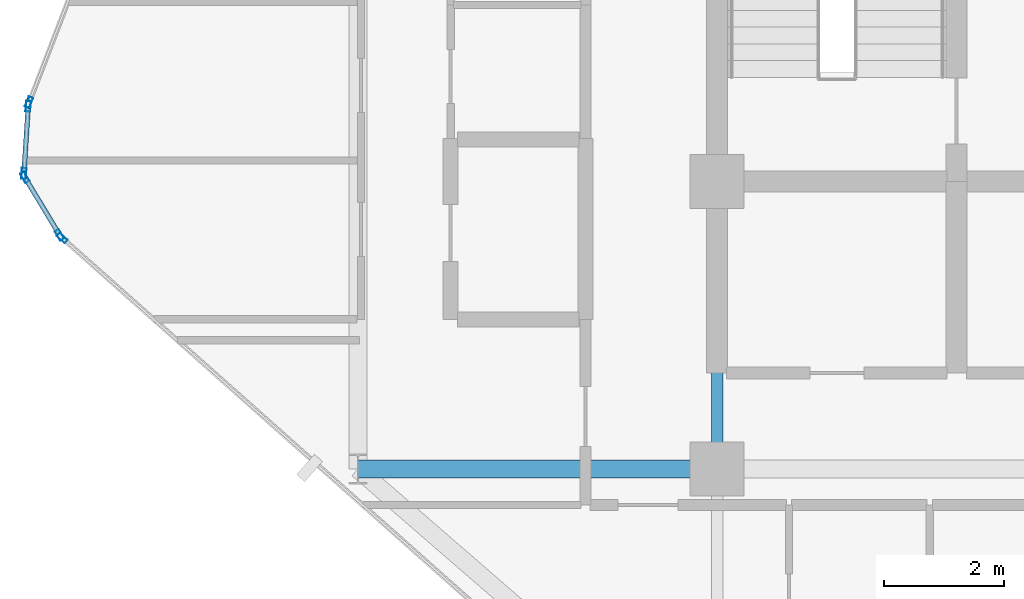
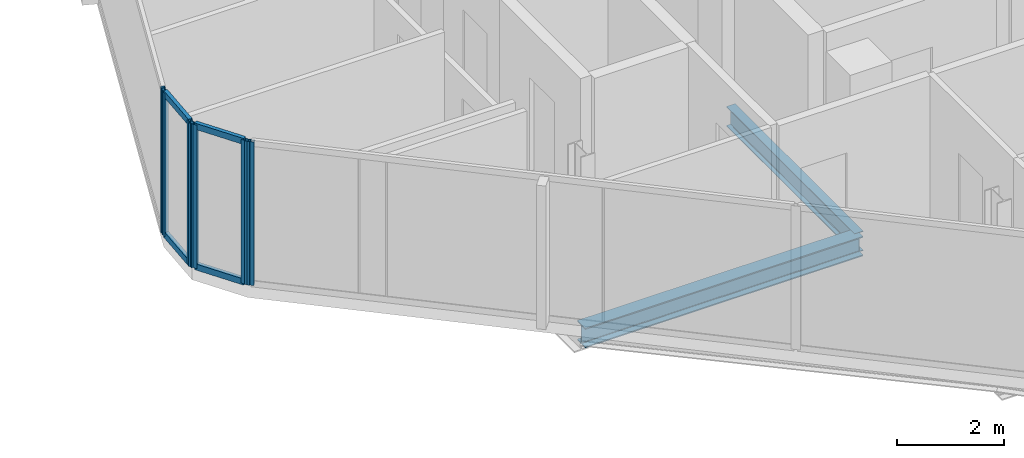
# One storey, part 7 of 31: 10 members, 2 beams, 4 elements without a shape of their own.
"""IFC4 building model written with IfcOpenShell, lengths in metres."""

from ifc_helpers import new_model, si_unit, direction, frame, origin, origin_2d, place, context, subcontext, project, spatial, hollow_rectangle, i_section, extrude, material, layer, layer_set, material_profile, profile_set, type_object, element, aggregate, save


model = new_model("IFC4")

# Units and contexts
model_context = context("Model", 3, precision=1e-05, world=origin(), true_north=direction((0.0, 1.0)))
body_context = subcontext(model_context, "Body", "Model", "MODEL_VIEW")
ifc_project = project(units=[si_unit("LENGTHUNIT", "METRE"), si_unit("AREAUNIT", "SQUARE_METRE"), si_unit("VOLUMEUNIT", "CUBIC_METRE"), si_unit("PLANEANGLEUNIT", "RADIAN"), si_unit("MASSUNIT", "GRAM", prefix="KILO")], contexts=[model_context])

# Site, building, storey
site_placement = place(None, origin())
site = spatial("IfcSite", under=ifc_project, at=site_placement, CompositionType="ELEMENT")
building_placement = place(site_placement, origin())
building = spatial("IfcBuilding", under=site, at=building_placement, Name="Keshet Zoharim Tower", CompositionType="ELEMENT")
storey_placement = place(building_placement, frame((0.0, 0.0, 155.699951171875)))
storey = spatial("IfcBuildingStorey", under=building, at=storey_placement, Name="L38", CompositionType="ELEMENT", Elevation=155.699951171875)

# Beams
ifc_material_1 = material(Name="Steel S355", Category="steel")
ifc_material_profile_1 = material_profile(ifc_material_1, i_section(OverallWidth=0.18994140625, OverallDepth=0.449951171875, WebThickness=0.009521484375, FlangeThickness=0.0146484375, FilletRadius=0.02099609375, at=origin_2d()), Name="IPE450")
ifc_profile_set_1 = profile_set([ifc_material_profile_1], Name="Steel S355")
beam_type_1 = type_object("IfcBeamType", Name="BM-PRI-IP450", PredefinedType="BEAM", material=ifc_profile_set_1)
beam_1_placement = place(storey_placement, frame((15.0, 17.89990234375, -0.5400390625), z_axis=(0.0, 1.0, 0.0), x_axis=(-1.0, 0.0, 0.0)))
element("IfcBeam", 1, at=beam_1_placement, inside=storey, type_object=beam_type_1, Name="L38 Primary Girder Y-003", PredefinedType="BEAM", context=body_context, shape_type="SweptSolid", body=[
    extrude(i_section(OverallWidth=0.18994140625, OverallDepth=0.449951171875, WebThickness=0.009521484375, FlangeThickness=0.0146484375, FilletRadius=0.02099609375, at=origin_2d()), origin(), (0.0, 0.0, 1.0), 4.800048828125),
])
ifc_material_profile_2 = material_profile(ifc_material_1, i_section(OverallWidth=0.300048828125, OverallDepth=0.449951171875, WebThickness=0.013916015625, FlangeThickness=0.02587890625, FilletRadius=0.027099609375, at=origin_2d()), Name="HEB450")
ifc_profile_set_2 = profile_set([ifc_material_profile_2], Name="Steel S355")
beam_type_2 = type_object("IfcBeamType", Name="BM-WEB-HB450", PredefinedType="BEAM", material=ifc_profile_set_2)
beam_2_placement = place(storey_placement, frame((9.0, 17.89990234375, -0.5400390625), z_axis=(1.0, 0.0, 0.0), x_axis=(0.0, 1.0, 0.0)))
element("IfcBeam", 2, at=beam_2_placement, inside=storey, type_object=beam_type_2, Name="L38 Primary Girder X-011", PredefinedType="BEAM", context=body_context, shape_type="SweptSolid", body=[
    extrude(i_section(OverallWidth=0.300048828125, OverallDepth=0.449951171875, WebThickness=0.013916015625, FlangeThickness=0.02587890625, FilletRadius=0.027099609375, at=origin_2d()), origin(), (0.0, 0.0, 1.0), 6.0),
])

# Curtain wall, member
ifc_material_2 = material(Name="Aluminium 6063-T6", Category="aluminium")
ifc_layer = layer(ifc_material_2, 0.159912109375)
ifc_layer_set = layer_set([ifc_layer], Name="Aluminium 6063-T6")
curtain_wall_type = type_object("IfcCurtainWallType", Name="CW-SYS-03", PredefinedType="NOTDEFINED", material=ifc_layer_set)
curtain_wall_1_placement = place(storey_placement, origin())
curtain_wall_1 = element("IfcCurtainWall", 3, at=curtain_wall_1_placement, inside=storey, type_object=curtain_wall_type, Name="L38 Unitised Curtain Wall 07 Part 2", PredefinedType="NOTDEFINED")
ifc_material_profile_3 = material_profile(ifc_material_2, hollow_rectangle(XDim=0.080078125, YDim=0.179931640625, WallThickness=0.00439453125, at=origin_2d()), Name="MUL-80x180")
ifc_profile_set_3 = profile_set([ifc_material_profile_3], Name="Aluminium 6063-T6")
member_type_1 = type_object("IfcMemberType", Name="CWM-M18", PredefinedType="MULLION", material=ifc_profile_set_3)
member_1_placement = place(storey_placement, frame((4.061279296875, 21.7568359375, 0.0), z_axis=(0.0, 0.0, 1.0), x_axis=(-0.664362653915, -0.74741037194, 0.0)))
member_1 = element("IfcMember", 4, at=member_1_placement, type_object=member_type_1, Name="CW-03 mullion 3", PredefinedType="MULLION", context=body_context, shape_type="SweptSolid", body=[
    extrude(hollow_rectangle(XDim=0.080078125, YDim=0.179931640625, WallThickness=0.00439453125, at=origin_2d()), origin(), (0.0, 0.0, 1.0), 3.280029296875),
])
aggregate(curtain_wall_1, [member_1])

# Curtain wall, members
curtain_wall_2_placement = place(storey_placement, origin())
curtain_wall_2 = element("IfcCurtainWall", 5, at=curtain_wall_2_placement, inside=storey, type_object=curtain_wall_type, Name="L38 Unitised Curtain Wall 08", PredefinedType="NOTDEFINED")
member_2_placement = place(storey_placement, frame((4.016845703125, 21.81005859375, 0.0), z_axis=(0.0, 0.0, 1.0), x_axis=(-0.856826433805, -0.515604947933, 0.0)))
member_2 = element("IfcMember", 6, at=member_2_placement, type_object=member_type_1, Name="CW-03 mullion 1", PredefinedType="MULLION", context=body_context, shape_type="SweptSolid", body=[
    extrude(hollow_rectangle(XDim=0.080078125, YDim=0.179931640625, WallThickness=0.00439453125, at=origin_2d()), origin(), (0.0, 0.0, 1.0), 3.280029296875),
])
member_3_placement = place(storey_placement, frame((3.43798828125, 22.77197265625, 0.0), z_axis=(0.0, 0.0, 1.0), x_axis=(-0.856826433805, -0.515604947933, 0.0)))
member_3 = element("IfcMember", 7, at=member_3_placement, type_object=member_type_1, Name="CW-03 mullion 2", PredefinedType="MULLION", context=body_context, shape_type="SweptSolid", body=[
    extrude(hollow_rectangle(XDim=0.080078125, YDim=0.179931640625, WallThickness=0.00439453125, at=origin_2d()), origin(), (0.0, 0.0, 1.0), 3.280029296875),
])

curtain_wall_3_placement = place(storey_placement, origin())
curtain_wall_3 = element("IfcCurtainWall", 8, at=curtain_wall_3_placement, inside=storey, type_object=curtain_wall_type, Name="L38 Unitised Curtain Wall 09", PredefinedType="NOTDEFINED")
member_4_placement = place(storey_placement, frame((3.42236328125, 22.8369140625, 0.0), z_axis=(0.0, 0.0, 1.0), x_axis=(-0.997916617186, 0.064516859374, 0.0)))
member_4 = element("IfcMember", 9, at=member_4_placement, type_object=member_type_1, Name="CW-03 mullion 1", PredefinedType="MULLION", context=body_context, shape_type="SweptSolid", body=[
    extrude(hollow_rectangle(XDim=0.080078125, YDim=0.179931640625, WallThickness=0.00439453125, at=origin_2d()), origin(), (0.0, 0.0, 1.0), 3.280029296875),
])
member_5_placement = place(storey_placement, frame((3.49462890625, 23.9580078125, 0.0), z_axis=(0.0, 0.0, 1.0), x_axis=(-0.997916617186, 0.064516859374, 0.0)))
member_5 = element("IfcMember", 10, at=member_5_placement, type_object=member_type_1, Name="CW-03 mullion 2", PredefinedType="MULLION", context=body_context, shape_type="SweptSolid", body=[
    extrude(hollow_rectangle(XDim=0.080078125, YDim=0.179931640625, WallThickness=0.00439453125, at=origin_2d()), origin(), (0.0, 0.0, 1.0), 3.280029296875),
])

# Curtain wall, member
curtain_wall_4_placement = place(storey_placement, origin())
curtain_wall_4 = element("IfcCurtainWall", 11, at=curtain_wall_4_placement, inside=storey, type_object=curtain_wall_type, Name="L38 Unitised Curtain Wall 10", PredefinedType="NOTDEFINED")
member_6_placement = place(storey_placement, frame((3.509521484375, 24.025634765625, 0.0), z_axis=(0.0, 0.0, 1.0), x_axis=(-0.933341404361, 0.358990003907, 0.0)))
member_6 = element("IfcMember", 12, at=member_6_placement, type_object=member_type_1, Name="CW-03 mullion 1", PredefinedType="MULLION", context=body_context, shape_type="SweptSolid", body=[
    extrude(hollow_rectangle(XDim=0.080078125, YDim=0.179931640625, WallThickness=0.00439453125, at=origin_2d()), origin(), (0.0, 0.0, 1.0), 3.280029296875),
])
aggregate(curtain_wall_4, [member_6])

# Member
ifc_material_profile_4 = material_profile(ifc_material_2, hollow_rectangle(XDim=0.080078125, YDim=0.139892578125, WallThickness=0.00390625, at=origin_2d()), Name="TRN-80x140")
ifc_profile_set_4 = profile_set([ifc_material_profile_4], Name="Aluminium 6063-T6")
member_type_2 = type_object("IfcMemberType", Name="CWT-T14", PredefinedType="USERDEFINED", material=ifc_profile_set_4)
member_7_placement = place(storey_placement, frame((3.9990234375, 21.840087890625, 0.03515625), z_axis=(-0.515791194107, 0.856714330499, 0.0), x_axis=(-0.856714330499, -0.515791194107, 0.0)))
member_7 = element("IfcMember", 13, at=member_7_placement, type_object=member_type_2, Name="CW-03 transom 1.1", ObjectType="TRANSOM", PredefinedType="USERDEFINED", context=body_context, shape_type="SweptSolid", body=[
    extrude(hollow_rectangle(XDim=0.080078125, YDim=0.139892578125, WallThickness=0.00390625, at=origin_2d()), origin(), (0.0, 0.0, 1.0), 1.052734375),
])

member_8_placement = place(storey_placement, frame((3.9990234375, 21.840087890625, 3.2451171875), z_axis=(-0.515791194107, 0.856714330499, 0.0), x_axis=(-0.856714330499, -0.515791194107, 0.0)))
member_8 = element("IfcMember", 14, at=member_8_placement, type_object=member_type_2, Name="CW-03 transom 1.2", ObjectType="TRANSOM", PredefinedType="USERDEFINED", context=body_context, shape_type="SweptSolid", body=[
    extrude(hollow_rectangle(XDim=0.080078125, YDim=0.139892578125, WallThickness=0.00390625, at=origin_2d()), origin(), (0.0, 0.0, 1.0), 1.052734375),
])

aggregate(curtain_wall_2, [member_2, member_3, member_7, member_8])

member_9_placement = place(storey_placement, frame((3.424560546875, 22.871826171875, 0.03515625), z_axis=(0.064426947155, 0.997922426083, 0.0), x_axis=(-0.997922426083, 0.064426947155, 0.0)))
member_9 = element("IfcMember", 15, at=member_9_placement, type_object=member_type_2, Name="CW-03 transom 1.1", ObjectType="TRANSOM", PredefinedType="USERDEFINED", context=body_context, shape_type="SweptSolid", body=[
    extrude(hollow_rectangle(XDim=0.080078125, YDim=0.139892578125, WallThickness=0.00390625, at=origin_2d()), origin(), (0.0, 0.0, 1.0), 1.053466796875),
])

member_10_placement = place(storey_placement, frame((3.424560546875, 22.871826171875, 3.2451171875), z_axis=(0.064426947155, 0.997922426083, 0.0), x_axis=(-0.997922426083, 0.064426947155, 0.0)))
member_10 = element("IfcMember", 16, at=member_10_placement, type_object=member_type_2, Name="CW-03 transom 1.2", ObjectType="TRANSOM", PredefinedType="USERDEFINED", context=body_context, shape_type="SweptSolid", body=[
    extrude(hollow_rectangle(XDim=0.080078125, YDim=0.139892578125, WallThickness=0.00390625, at=origin_2d()), origin(), (0.0, 0.0, 1.0), 1.053466796875),
])

aggregate(curtain_wall_3, [member_4, member_5, member_9, member_10])

save(model, "model.ifc")
